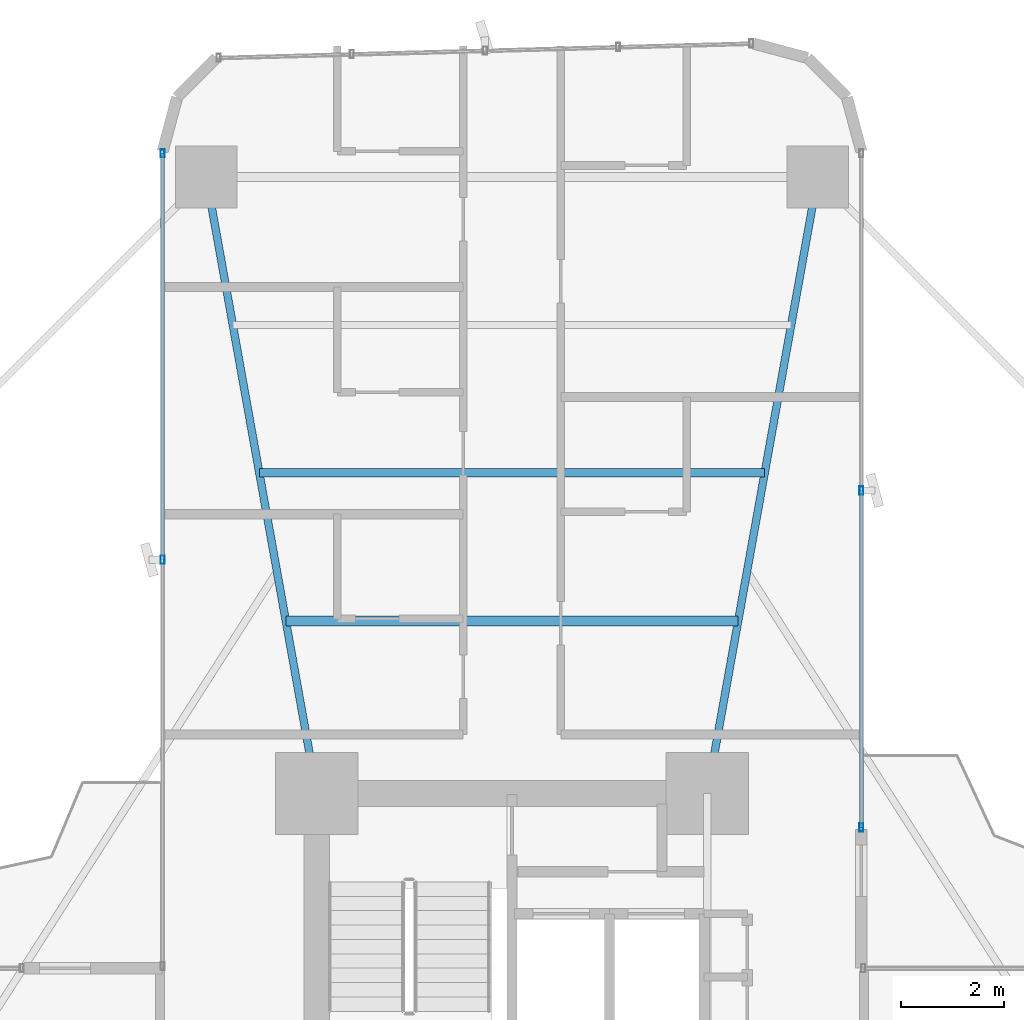
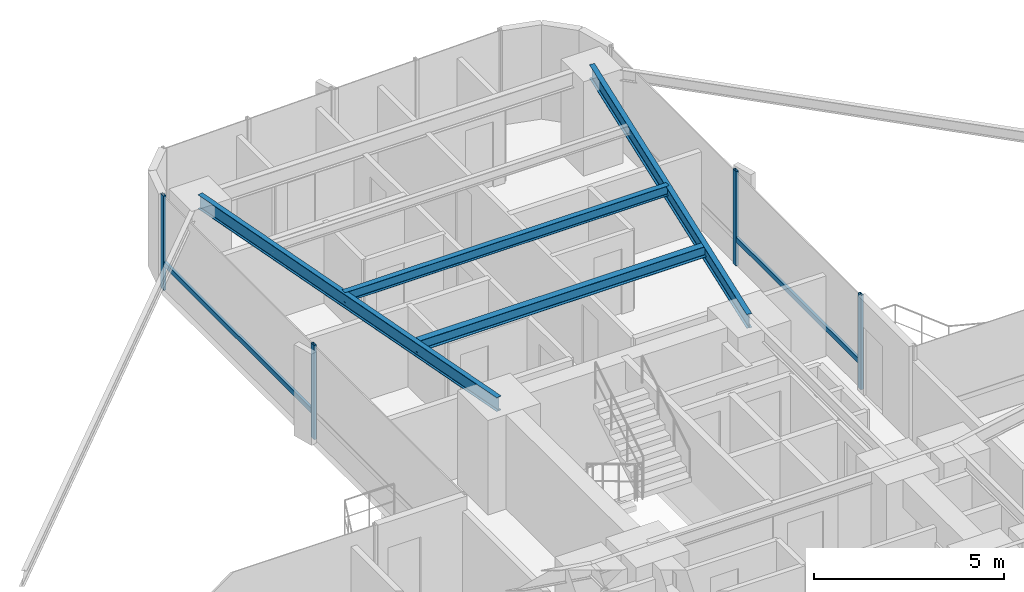
# One storey, part 18 of 25: 6 members, 4 beams, 2 elements without a shape of their own.
"""IFC4 building model written with IfcOpenShell, lengths in metres."""

from ifc_helpers import new_model, si_unit, direction, frame, origin, origin_2d, place, context, subcontext, project, spatial, hollow_rectangle, i_section, extrude, source, transform, mapped, material, material_profile, profile_set, type_object, element, aggregate, save


model = new_model("IFC4")

# Units and contexts
model_context = context("Model", 3, precision=1e-05, world=origin(), true_north=direction((0.0, 1.0)))
body_context = subcontext(model_context, "Body", "Model", "MODEL_VIEW")
ifc_project = project(units=[si_unit("LENGTHUNIT", "METRE"), si_unit("AREAUNIT", "SQUARE_METRE"), si_unit("VOLUMEUNIT", "CUBIC_METRE"), si_unit("PLANEANGLEUNIT", "RADIAN"), si_unit("MASSUNIT", "GRAM", prefix="KILO")], contexts=[model_context])

# Site, building, storey
site_placement = place(None, origin())
site = spatial("IfcSite", under=ifc_project, at=site_placement, CompositionType="ELEMENT")
building_placement = place(site_placement, origin())
building = spatial("IfcBuilding", under=site, at=building_placement, Name="Sahyath Konkavel Grand Hotel", CompositionType="ELEMENT")
storey_placement = place(building_placement, frame((0.0, 0.0, 71.14990234375)))
storey = spatial("IfcBuildingStorey", under=building, at=storey_placement, Name="L19", CompositionType="ELEMENT", Elevation=71.14990234375)

# Beams
ifc_material_1 = material(Name="Steel E350", Category="steel")
ifc_material_profile_1 = material_profile(ifc_material_1, i_section(OverallWidth=0.14990234375, OverallDepth=0.449951171875, WebThickness=0.009521484375, FlangeThickness=0.017333984375, FilletRadius=0.014892578125, at=origin_2d()), Name="ISMB 450")
ifc_profile_set_1 = profile_set([ifc_material_profile_1], Name="Steel E350")
beam_type_1 = type_object("IfcBeamType", Name="BM-ISMB450", PredefinedType="BEAM", material=ifc_profile_set_1)
shared_shape_1 = source(origin(), body_context, "Body", "SweptSolid", [
    extrude(i_section(OverallWidth=0.14990234375, OverallDepth=0.449951171875, WebThickness=0.009521484375, FlangeThickness=0.017333984375, FilletRadius=0.014892578125, at=origin_2d()), origin(), (0.0, 0.0, 1.0), 12.191162109375),
])
for number, where, z_axis, x_axis, name in (
    (1, (3.800048828125, 10.199951171875, 2.80517578125), (0.176350650305, 0.984327409014, 0.0), (-0.984327409014, 0.176350650305, 0.0), "L19 Cruciform Radial Girder NA"),
    (2, (-3.800048828125, 10.199951171875, 2.80517578125), (-0.176350650305, 0.984327409014, 0.0), (-0.984327409014, -0.176350650305, 0.0), "L19 Cruciform Radial Girder NB"),
):
    element("IfcBeam", number, at=place(storey_placement, frame(where, z_axis=z_axis, x_axis=x_axis)), inside=storey, type_object=beam_type_1, Name=name, PredefinedType="BEAM", context=body_context, shape_type="MappedRepresentation", body=[
        mapped(shared_shape_1, transform((0.0, 0.0, 0.0), scale=1.0)),
    ])
ifc_material_profile_2 = material_profile(ifc_material_1, i_section(OverallWidth=0.199951171875, OverallDepth=0.35009765625, WebThickness=0.008056640625, FlangeThickness=0.011474609375, FilletRadius=0.013916015625, at=origin_2d()), Name="ISWB 350")
ifc_profile_set_2 = profile_set([ifc_material_profile_2], Name="Steel E350")
beam_type_2 = type_object("IfcBeamType", Name="BM-ISWB350", PredefinedType="BEAM", material=ifc_profile_set_2)
shared_shape_2 = source(origin(), body_context, "Body", "SweptSolid", [
    extrude(i_section(OverallWidth=0.199951171875, OverallDepth=0.35009765625, WebThickness=0.008056640625, FlangeThickness=0.011474609375, FilletRadius=0.013916015625, at=origin_2d()), origin(), (0.0, 0.0, 1.0), 8.80419921875),
])
beam_1_placement = place(storey_placement, frame((4.402099609375, 13.56005859375, 2.85498046875), z_axis=(-1.0, 0.0, 0.0), x_axis=(0.0, -1.0, 0.0)))
element("IfcBeam", 3, at=beam_1_placement, inside=storey, type_object=beam_type_2, Name="L19 Secondary Floor Beam N-1", PredefinedType="BEAM", context=body_context, shape_type="MappedRepresentation", body=[
    mapped(shared_shape_2, transform((0.0, 0.0, 0.0), scale=1.0)),
])
ifc_material_profile_3 = material_profile(ifc_material_1, i_section(OverallWidth=0.1650390625, OverallDepth=0.324951171875, WebThickness=0.007080078125, FlangeThickness=0.009765625, FilletRadius=0.014892578125, at=origin_2d()), Name="ISLB 325")
ifc_profile_set_3 = profile_set([ifc_material_profile_3], Name="Steel E350")
beam_type_3 = type_object("IfcBeamType", Name="BM-ISLB325", PredefinedType="BEAM", material=ifc_profile_set_3)
shared_shape_3 = source(origin(), body_context, "Body", "SweptSolid", [
    extrude(i_section(OverallWidth=0.1650390625, OverallDepth=0.324951171875, WebThickness=0.007080078125, FlangeThickness=0.009765625, FilletRadius=0.014892578125, at=origin_2d()), origin(), (0.0, 0.0, 1.0), 9.8359375),
])
beam_2_placement = place(storey_placement, frame((4.91796875, 16.43994140625, 2.86767578125), z_axis=(-1.0, 0.0, 0.0), x_axis=(0.0, -1.0, 0.0)))
element("IfcBeam", 4, at=beam_2_placement, inside=storey, type_object=beam_type_3, Name="L19 Secondary Floor Beam N-2", PredefinedType="BEAM", context=body_context, shape_type="MappedRepresentation", body=[
    mapped(shared_shape_3, transform((0.0, 0.0, 0.0), scale=1.0)),
])

# Curtain wall, member
ifc_material_2 = material(Name="Anodised Bronze Aluminium & Low-E Glazing", Category="aluminium")
curtain_wall_type = type_object("IfcCurtainWallType", Name="CW-ZONE1", PredefinedType="NOTDEFINED", material=ifc_material_2)
curtain_wall_1_placement = place(storey_placement, origin())
curtain_wall_1 = element("IfcCurtainWall", 5, at=curtain_wall_1_placement, inside=storey, type_object=curtain_wall_type, Name="L19 Unitised Curtain Wall F15", PredefinedType="NOTDEFINED")
ifc_material_3 = material(Name="Anodised Bronze Aluminium", Category="aluminium")
ifc_material_profile_4 = material_profile(ifc_material_3, hollow_rectangle(XDim=0.080078125, YDim=0.159912109375, WallThickness=0.006103515625, at=origin_2d()), Name="RHS 160x80x6")
ifc_profile_set_4 = profile_set([ifc_material_profile_4], Name="Anodised Bronze Aluminium")
member_type_1 = type_object("IfcMemberType", Name="CW-TRN-160", PredefinedType="USERDEFINED", material=ifc_profile_set_4)
shared_shape_4 = source(origin(), body_context, "Body", "SweptSolid", [
    extrude(hollow_rectangle(XDim=0.080078125, YDim=0.159912109375, WallThickness=0.006103515625, at=origin_2d()), origin(), (0.0, 0.0, 1.0), 7.909912109375),
])
member_1_placement = place(storey_placement, frame((-6.800048828125, 22.659912109375, 0.85009765625), z_axis=(0.0, -1.0, 0.0), x_axis=(1.0, 0.0, 0.0)))
member_1 = element("IfcMember", 6, at=member_1_placement, type_object=member_type_1, Name="L19 Curtain Wall Transom F15-0-spandrel", ObjectType="TRANSOM", PredefinedType="USERDEFINED", context=body_context, shape_type="MappedRepresentation", body=[
    mapped(shared_shape_4, transform((0.0, 0.0, 0.0), scale=1.0)),
])

# Curtain wall, members
curtain_wall_2_placement = place(storey_placement, origin())
curtain_wall_2 = element("IfcCurtainWall", 7, at=curtain_wall_2_placement, inside=storey, type_object=curtain_wall_type, Name="L19 Unitised Curtain Wall F8", PredefinedType="NOTDEFINED")
shared_shape_5 = source(origin(), body_context, "Body", "SweptSolid", [
    extrude(hollow_rectangle(XDim=0.080078125, YDim=0.159912109375, WallThickness=0.006103515625, at=origin_2d()), origin(), (0.0, 0.0, 1.0), 6.56005859375),
])
member_2_placement = place(storey_placement, frame((6.800048828125, 9.5400390625, 0.85009765625), z_axis=(0.0, 1.0, 0.0), x_axis=(-1.0, 0.0, 0.0)))
member_2 = element("IfcMember", 8, at=member_2_placement, type_object=member_type_1, Name="L19 Curtain Wall Transom F8-0-spandrel", ObjectType="TRANSOM", PredefinedType="USERDEFINED", context=body_context, shape_type="MappedRepresentation", body=[
    mapped(shared_shape_5, transform((0.0, 0.0, 0.0), scale=1.0)),
])
ifc_material_profile_5 = material_profile(ifc_material_3, hollow_rectangle(XDim=0.080078125, YDim=0.159912109375, WallThickness=0.006103515625, at=origin_2d()), Name="RHS 160x80x6")
ifc_profile_set_5 = profile_set([ifc_material_profile_5], Name="Anodised Bronze Aluminium")
member_type_2 = type_object("IfcMemberType", Name="CW-MUL-160", PredefinedType="MULLION", material=ifc_profile_set_5)
shared_shape_6 = source(origin(), body_context, "Body", "SweptSolid", [
    extrude(hollow_rectangle(XDim=0.080078125, YDim=0.159912109375, WallThickness=0.006103515625, at=origin_2d()), origin(), (0.0, 0.0, 1.0), 3.030029296875),
])
member_3_placement = place(storey_placement, frame((6.800048828125, 9.5400390625, 0.0), z_axis=(0.0, 0.0, 1.0), x_axis=(1.0, 0.0, 0.0)))
member_3 = element("IfcMember", 9, at=member_3_placement, type_object=member_type_2, Name="L19 Curtain Wall Mullion F8-0", PredefinedType="MULLION", context=body_context, shape_type="MappedRepresentation", body=[
    mapped(shared_shape_6, transform((0.0, 0.0, 0.0), scale=1.0)),
])
member_4_placement = place(storey_placement, frame((6.800048828125, 16.10009765625, 0.0), z_axis=(0.0, 0.0, 1.0), x_axis=(1.0, 0.0, 0.0)))
member_4 = element("IfcMember", 10, at=member_4_placement, type_object=member_type_2, Name="L19 Curtain Wall Mullion F8-1", PredefinedType="MULLION", context=body_context, shape_type="MappedRepresentation", body=[
    mapped(shared_shape_6, transform((0.0, 0.0, 0.0), scale=1.0)),
])
aggregate(curtain_wall_2, [member_3, member_4, member_2])

# Member
member_5_placement = place(storey_placement, frame((-6.800048828125, 22.659912109375, 0.0), z_axis=(0.0, 0.0, 1.0), x_axis=(1.0, 0.0, 0.0)))
member_5 = element("IfcMember", 11, at=member_5_placement, type_object=member_type_2, Name="L19 Curtain Wall Mullion F15-0", PredefinedType="MULLION", context=body_context, shape_type="MappedRepresentation", body=[
    mapped(shared_shape_6, transform((0.0, 0.0, 0.0), scale=1.0)),
])

member_6_placement = place(storey_placement, frame((-6.800048828125, 14.75, 0.0), z_axis=(0.0, 0.0, 1.0), x_axis=(1.0, 0.0, 0.0)))
member_6 = element("IfcMember", 12, at=member_6_placement, type_object=member_type_2, Name="L19 Curtain Wall Mullion F15-1", PredefinedType="MULLION", context=body_context, shape_type="MappedRepresentation", body=[
    mapped(shared_shape_6, transform((0.0, 0.0, 0.0), scale=1.0)),
])

aggregate(curtain_wall_1, [member_5, member_6, member_1])

save(model, "model.ifc")
